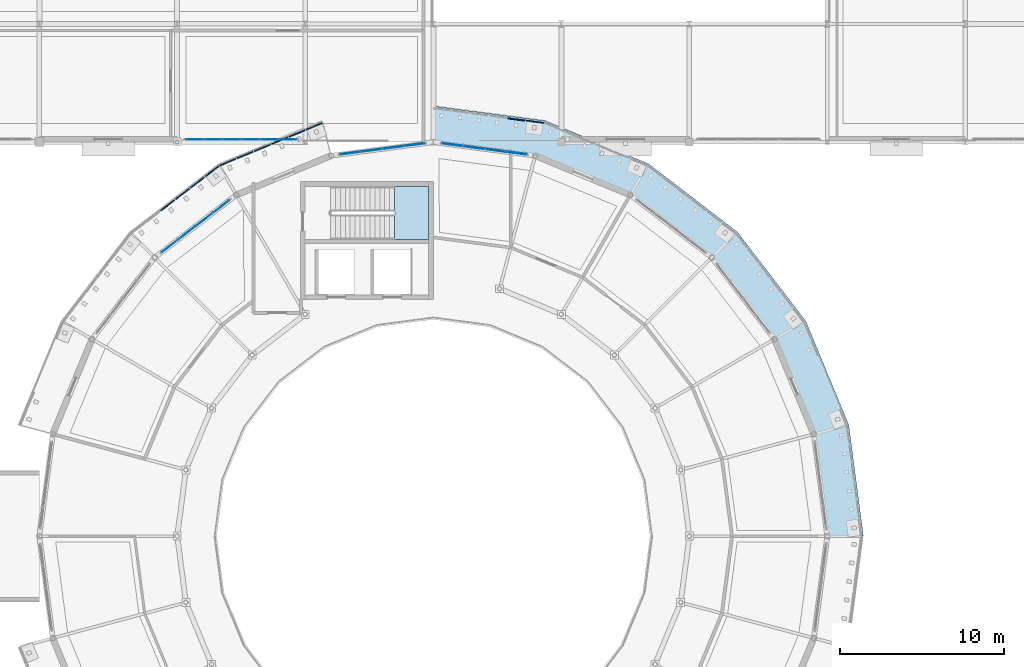
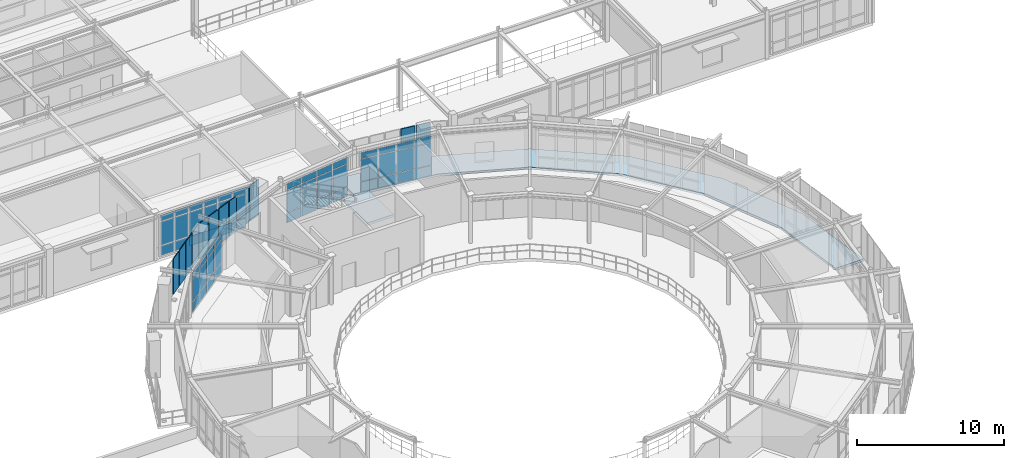
# One storey, part 47 of 70: 66 plates, 2 slabs, 5 elements without a shape of their own.
"""IFC4 building model written with IfcOpenShell, lengths in metres."""

from ifc_helpers import new_model, si_unit, derived_unit, direction, frame, origin, origin_2d, place, context, subcontext, project, spatial, polyline, rectangle, outline, extrude, material, layer, layer_set, type_object, element, aggregate, save


model = new_model("IFC4")

# Units and contexts
model_context = context("Model", 3, precision=1e-05, world=origin(), true_north=direction((0.0, 1.0)))
body_context = subcontext(model_context, "Body", "Model", "MODEL_VIEW")
ifc_project = project(units=[si_unit("LENGTHUNIT", "METRE"), si_unit("AREAUNIT", "SQUARE_METRE"), si_unit("VOLUMEUNIT", "CUBIC_METRE"), si_unit("PLANEANGLEUNIT", "RADIAN"), si_unit("MASSUNIT", "GRAM", prefix="KILO"), derived_unit("THERMALTRANSMITTANCEUNIT", [(si_unit("POWERUNIT", "WATT"), 1), (si_unit("AREAUNIT", "SQUARE_METRE"), -1), (si_unit("THERMODYNAMICTEMPERATUREUNIT", "KELVIN"), -1)])], contexts=[model_context])

# Site, building, storey
site_placement = place(None, origin())
site = spatial("IfcSite", under=ifc_project, at=site_placement, CompositionType="ELEMENT")
building_placement = place(site_placement, origin())
building = spatial("IfcBuilding", under=site, at=building_placement, Name="Yasenodar Specialist Clinic", CompositionType="ELEMENT")
storey_placement = place(building_placement, frame((0.0, 0.0, 13.199951171875)))
storey = spatial("IfcBuildingStorey", under=building, at=storey_placement, Name="L03", CompositionType="ELEMENT", Elevation=13.199951171875)

# Curtain wall, plates
ifc_material_1 = material(Name="Bronze Anodized Aluminium and Triple Low-E Glass", Category="aluminium")
ifc_layer_1 = layer(ifc_material_1, 0.1669921875)
ifc_layer_set_1 = layer_set([ifc_layer_1], Name="Bronze Anodized Aluminium and Triple Low-E Glass")
curtain_wall_type_1 = type_object("IfcCurtainWallType", Name="CW-SYS-01", PredefinedType="USERDEFINED", material=ifc_layer_set_1)
curtain_wall_1_placement = place(storey_placement, origin())
curtain_wall_1 = element("IfcCurtainWall", 1, at=curtain_wall_1_placement, inside=storey, type_object=curtain_wall_type_1, Name="L03 Unitised Curtain Wall 044", ObjectType="UNITISED CURTAIN WALL", PredefinedType="USERDEFINED")
ifc_material_2 = material(Name="Triple Low-E Argon Glazing", Category="glass")
ifc_layer_2 = layer(ifc_material_2, 0.028076171875)
ifc_layer_set_2 = layer_set([ifc_layer_2], Name="Triple Low-E Argon Glazing")
plate_type_1 = type_object("IfcPlateType", Name="CW-PAN-1", PredefinedType="CURTAIN_PANEL", material=ifc_layer_set_2)
plate_1_placement = place(storey_placement, frame((75.9365234375, 82.13330078125, 0.06005859375), z_axis=(0.0, 0.0, 1.0), x_axis=(0.991446787601, 0.13051156024, 0.0)))
plate_1 = element("IfcPlate", 2, at=plate_1_placement, type_object=plate_type_1, Name="CW-01 panel 1.1", PredefinedType="CURTAIN_PANEL", context=body_context, shape_type="SweptSolid", body=[
    extrude(rectangle(XDim=1.236328125, YDim=0.028076171875, at=origin_2d()), origin(), (0.0, 0.0, 1.0), 0.81005859375),
])
plate_2_placement = place(storey_placement, frame((75.9365234375, 82.13330078125, 0.93017578125), z_axis=(0.0, 0.0, 1.0), x_axis=(0.991446787601, 0.13051156024, 0.0)))
plate_2 = element("IfcPlate", 3, at=plate_2_placement, type_object=plate_type_1, Name="CW-01 panel 1.2", PredefinedType="CURTAIN_PANEL", context=body_context, shape_type="SweptSolid", body=[
    extrude(rectangle(XDim=1.236328125, YDim=0.028076171875, at=origin_2d()), origin(), (0.0, 0.0, 1.0), 1.818115234375),
])
plate_3_placement = place(storey_placement, frame((75.9365234375, 82.13330078125, 2.80810546875), z_axis=(0.0, 0.0, 1.0), x_axis=(0.991446787601, 0.13051156024, 0.0)))
plate_3 = element("IfcPlate", 4, at=plate_3_placement, type_object=plate_type_1, Name="CW-01 panel 1.3", PredefinedType="CURTAIN_PANEL", context=body_context, shape_type="SweptSolid", body=[
    extrude(rectangle(XDim=1.236328125, YDim=0.028076171875, at=origin_2d()), origin(), (0.0, 0.0, 1.0), 0.510009765625),
])
plate_4_placement = place(storey_placement, frame((77.236572265625, 82.304443359375, 0.06005859375), z_axis=(0.0, 0.0, 1.0), x_axis=(0.991446787601, 0.13051156024, 0.0)))
plate_4 = element("IfcPlate", 5, at=plate_4_placement, type_object=plate_type_1, Name="CW-01 panel 2.1", PredefinedType="CURTAIN_PANEL", context=body_context, shape_type="SweptSolid", body=[
    extrude(rectangle(XDim=1.266357421875, YDim=0.028076171875, at=origin_2d()), origin(), (0.0, 0.0, 1.0), 0.81005859375),
])
plate_5_placement = place(storey_placement, frame((77.236572265625, 82.304443359375, 0.93017578125), z_axis=(0.0, 0.0, 1.0), x_axis=(0.991446787601, 0.13051156024, 0.0)))
plate_5 = element("IfcPlate", 6, at=plate_5_placement, type_object=plate_type_1, Name="CW-01 panel 2.2", PredefinedType="CURTAIN_PANEL", context=body_context, shape_type="SweptSolid", body=[
    extrude(rectangle(XDim=1.266357421875, YDim=0.028076171875, at=origin_2d()), origin(), (0.0, 0.0, 1.0), 1.818115234375),
])
plate_6_placement = place(storey_placement, frame((77.236572265625, 82.304443359375, 2.80810546875), z_axis=(0.0, 0.0, 1.0), x_axis=(0.991446787601, 0.13051156024, 0.0)))
plate_6 = element("IfcPlate", 7, at=plate_6_placement, type_object=plate_type_1, Name="CW-01 panel 2.3", PredefinedType="CURTAIN_PANEL", context=body_context, shape_type="SweptSolid", body=[
    extrude(rectangle(XDim=1.266357421875, YDim=0.028076171875, at=origin_2d()), origin(), (0.0, 0.0, 1.0), 0.510009765625),
])
plate_7_placement = place(storey_placement, frame((78.5517578125, 82.4775390625, 0.06005859375), z_axis=(0.0, 0.0, 1.0), x_axis=(0.991446787601, 0.13051156024, 0.0)))
plate_7 = element("IfcPlate", 8, at=plate_7_placement, type_object=plate_type_1, Name="CW-01 panel 3.1", PredefinedType="CURTAIN_PANEL", context=body_context, shape_type="SweptSolid", body=[
    extrude(rectangle(XDim=1.266357421875, YDim=0.028076171875, at=origin_2d()), origin(), (0.0, 0.0, 1.0), 0.81005859375),
])
plate_8_placement = place(storey_placement, frame((78.5517578125, 82.4775390625, 0.93017578125), z_axis=(0.0, 0.0, 1.0), x_axis=(0.991446787601, 0.13051156024, 0.0)))
plate_8 = element("IfcPlate", 9, at=plate_8_placement, type_object=plate_type_1, Name="CW-01 panel 3.2", PredefinedType="CURTAIN_PANEL", context=body_context, shape_type="SweptSolid", body=[
    extrude(rectangle(XDim=1.266357421875, YDim=0.028076171875, at=origin_2d()), origin(), (0.0, 0.0, 1.0), 1.818115234375),
])
plate_9_placement = place(storey_placement, frame((78.5517578125, 82.4775390625, 2.80810546875), z_axis=(0.0, 0.0, 1.0), x_axis=(0.991446787601, 0.13051156024, 0.0)))
plate_9 = element("IfcPlate", 10, at=plate_9_placement, type_object=plate_type_1, Name="CW-01 panel 3.3", PredefinedType="CURTAIN_PANEL", context=body_context, shape_type="SweptSolid", body=[
    extrude(rectangle(XDim=1.266357421875, YDim=0.028076171875, at=origin_2d()), origin(), (0.0, 0.0, 1.0), 0.510009765625),
])
plate_10_placement = place(storey_placement, frame((79.851806640625, 82.648681640625, 0.06005859375), z_axis=(0.0, 0.0, 1.0), x_axis=(0.991446787601, 0.13051156024, 0.0)))
plate_10 = element("IfcPlate", 11, at=plate_10_placement, type_object=plate_type_1, Name="CW-01 panel 4.1", PredefinedType="CURTAIN_PANEL", context=body_context, shape_type="SweptSolid", body=[
    extrude(rectangle(XDim=1.236328125, YDim=0.028076171875, at=origin_2d()), origin(), (0.0, 0.0, 1.0), 0.81005859375),
])
plate_11_placement = place(storey_placement, frame((79.851806640625, 82.648681640625, 0.93017578125), z_axis=(0.0, 0.0, 1.0), x_axis=(0.991446787601, 0.13051156024, 0.0)))
plate_11 = element("IfcPlate", 12, at=plate_11_placement, type_object=plate_type_1, Name="CW-01 panel 4.2", PredefinedType="CURTAIN_PANEL", context=body_context, shape_type="SweptSolid", body=[
    extrude(rectangle(XDim=1.236328125, YDim=0.028076171875, at=origin_2d()), origin(), (0.0, 0.0, 1.0), 1.818115234375),
])
plate_12_placement = place(storey_placement, frame((79.851806640625, 82.648681640625, 2.80810546875), z_axis=(0.0, 0.0, 1.0), x_axis=(0.991446787601, 0.13051156024, 0.0)))
plate_12 = element("IfcPlate", 13, at=plate_12_placement, type_object=plate_type_1, Name="CW-01 panel 4.3", PredefinedType="CURTAIN_PANEL", context=body_context, shape_type="SweptSolid", body=[
    extrude(rectangle(XDim=1.236328125, YDim=0.028076171875, at=origin_2d()), origin(), (0.0, 0.0, 1.0), 0.510009765625),
])
aggregate(curtain_wall_1, [plate_1, plate_2, plate_3, plate_4, plate_5, plate_6, plate_7, plate_8, plate_9, plate_10, plate_11, plate_12])

ifc_layer_3 = layer(ifc_material_1, 0.215087890625)
ifc_layer_set_3 = layer_set([ifc_layer_3], Name="Bronze Anodized Aluminium and Triple Low-E Glass")
curtain_wall_type_2 = type_object("IfcCurtainWallType", Name="CW-SYS-05", PredefinedType="USERDEFINED", material=ifc_layer_set_3)
curtain_wall_2_placement = place(storey_placement, origin())
curtain_wall_2 = element("IfcCurtainWall", 14, at=curtain_wall_2_placement, inside=storey, type_object=curtain_wall_type_2, Name="L03 Unitised Curtain Wall 160", ObjectType="UNITISED CURTAIN WALL", PredefinedType="USERDEFINED")
plate_13_placement = place(storey_placement, frame((72.13134765625, 82.969970703125, 0.074951171875), z_axis=(0.0, 0.0, 1.0), x_axis=(-1.0, 0.0, 0.0)))
plate_13 = element("IfcPlate", 15, at=plate_13_placement, type_object=plate_type_1, Name="CW-05 panel 1.1", PredefinedType="CURTAIN_PANEL", context=body_context, shape_type="SweptSolid", body=[
    extrude(rectangle(XDim=1.027587890625, YDim=0.028076171875, at=origin_2d()), origin(), (0.0, 0.0, 1.0), 0.78759765625),
])
plate_14_placement = place(storey_placement, frame((72.13134765625, 82.969970703125, 0.9375), z_axis=(0.0, 0.0, 1.0), x_axis=(-1.0, 0.0, 0.0)))
plate_14 = element("IfcPlate", 16, at=plate_14_placement, type_object=plate_type_1, Name="CW-05 panel 1.2", PredefinedType="CURTAIN_PANEL", context=body_context, shape_type="SweptSolid", body=[
    extrude(rectangle(XDim=1.027587890625, YDim=0.028076171875, at=origin_2d()), origin(), (0.0, 0.0, 1.0), 1.923095703125),
])
plate_15_placement = place(storey_placement, frame((72.13134765625, 82.969970703125, 2.935546875), z_axis=(0.0, 0.0, 1.0), x_axis=(-1.0, 0.0, 0.0)))
plate_15 = element("IfcPlate", 17, at=plate_15_placement, type_object=plate_type_1, Name="CW-05 panel 1.3", PredefinedType="CURTAIN_PANEL", context=body_context, shape_type="SweptSolid", body=[
    extrude(rectangle(XDim=1.027587890625, YDim=0.028076171875, at=origin_2d()), origin(), (0.0, 0.0, 1.0), 0.487548828125),
])
plate_16_placement = place(storey_placement, frame((71.010009765625, 82.969970703125, 0.074951171875), z_axis=(0.0, 0.0, 1.0), x_axis=(-1.0, 0.0, 0.0)))
plate_16 = element("IfcPlate", 18, at=plate_16_placement, type_object=plate_type_1, Name="CW-05 panel 2.1", PredefinedType="CURTAIN_PANEL", context=body_context, shape_type="SweptSolid", body=[
    extrude(rectangle(XDim=1.06494140625, YDim=0.028076171875, at=origin_2d()), origin(), (0.0, 0.0, 1.0), 0.78759765625),
])
plate_17_placement = place(storey_placement, frame((71.010009765625, 82.969970703125, 0.9375), z_axis=(0.0, 0.0, 1.0), x_axis=(-1.0, 0.0, 0.0)))
plate_17 = element("IfcPlate", 19, at=plate_17_placement, type_object=plate_type_1, Name="CW-05 panel 2.2", PredefinedType="CURTAIN_PANEL", context=body_context, shape_type="SweptSolid", body=[
    extrude(rectangle(XDim=1.06494140625, YDim=0.028076171875, at=origin_2d()), origin(), (0.0, 0.0, 1.0), 1.923095703125),
])
plate_18_placement = place(storey_placement, frame((71.010009765625, 82.969970703125, 2.935546875), z_axis=(0.0, 0.0, 1.0), x_axis=(-1.0, 0.0, 0.0)))
plate_18 = element("IfcPlate", 20, at=plate_18_placement, type_object=plate_type_1, Name="CW-05 panel 2.3", PredefinedType="CURTAIN_PANEL", context=body_context, shape_type="SweptSolid", body=[
    extrude(rectangle(XDim=1.06494140625, YDim=0.028076171875, at=origin_2d()), origin(), (0.0, 0.0, 1.0), 0.487548828125),
])
plate_19_placement = place(storey_placement, frame((69.8701171875, 82.969970703125, 0.074951171875), z_axis=(0.0, 0.0, 1.0), x_axis=(-1.0, 0.0, 0.0)))
plate_19 = element("IfcPlate", 21, at=plate_19_placement, type_object=plate_type_1, Name="CW-05 panel 3.1", PredefinedType="CURTAIN_PANEL", context=body_context, shape_type="SweptSolid", body=[
    extrude(rectangle(XDim=1.06494140625, YDim=0.028076171875, at=origin_2d()), origin(), (0.0, 0.0, 1.0), 0.78759765625),
])
plate_20_placement = place(storey_placement, frame((69.8701171875, 82.969970703125, 0.9375), z_axis=(0.0, 0.0, 1.0), x_axis=(-1.0, 0.0, 0.0)))
plate_20 = element("IfcPlate", 22, at=plate_20_placement, type_object=plate_type_1, Name="CW-05 panel 3.2", PredefinedType="CURTAIN_PANEL", context=body_context, shape_type="SweptSolid", body=[
    extrude(rectangle(XDim=1.06494140625, YDim=0.028076171875, at=origin_2d()), origin(), (0.0, 0.0, 1.0), 1.923095703125),
])
plate_21_placement = place(storey_placement, frame((69.8701171875, 82.969970703125, 2.935546875), z_axis=(0.0, 0.0, 1.0), x_axis=(-1.0, 0.0, 0.0)))
plate_21 = element("IfcPlate", 23, at=plate_21_placement, type_object=plate_type_1, Name="CW-05 panel 3.3", PredefinedType="CURTAIN_PANEL", context=body_context, shape_type="SweptSolid", body=[
    extrude(rectangle(XDim=1.06494140625, YDim=0.028076171875, at=origin_2d()), origin(), (0.0, 0.0, 1.0), 0.487548828125),
])
plate_22_placement = place(storey_placement, frame((68.72998046875, 82.969970703125, 0.074951171875), z_axis=(0.0, 0.0, 1.0), x_axis=(-1.0, 0.0, 0.0)))
plate_22 = element("IfcPlate", 24, at=plate_22_placement, type_object=plate_type_1, Name="CW-05 panel 4.1", PredefinedType="CURTAIN_PANEL", context=body_context, shape_type="SweptSolid", body=[
    extrude(rectangle(XDim=1.06494140625, YDim=0.028076171875, at=origin_2d()), origin(), (0.0, 0.0, 1.0), 0.78759765625),
])
plate_23_placement = place(storey_placement, frame((68.72998046875, 82.969970703125, 0.9375), z_axis=(0.0, 0.0, 1.0), x_axis=(-1.0, 0.0, 0.0)))
plate_23 = element("IfcPlate", 25, at=plate_23_placement, type_object=plate_type_1, Name="CW-05 panel 4.2", PredefinedType="CURTAIN_PANEL", context=body_context, shape_type="SweptSolid", body=[
    extrude(rectangle(XDim=1.06494140625, YDim=0.028076171875, at=origin_2d()), origin(), (0.0, 0.0, 1.0), 1.923095703125),
])
plate_24_placement = place(storey_placement, frame((68.72998046875, 82.969970703125, 2.935546875), z_axis=(0.0, 0.0, 1.0), x_axis=(-1.0, 0.0, 0.0)))
plate_24 = element("IfcPlate", 26, at=plate_24_placement, type_object=plate_type_1, Name="CW-05 panel 4.3", PredefinedType="CURTAIN_PANEL", context=body_context, shape_type="SweptSolid", body=[
    extrude(rectangle(XDim=1.06494140625, YDim=0.028076171875, at=origin_2d()), origin(), (0.0, 0.0, 1.0), 0.487548828125),
])
plate_25_placement = place(storey_placement, frame((67.590087890625, 82.969970703125, 0.074951171875), z_axis=(0.0, 0.0, 1.0), x_axis=(-1.0, 0.0, 0.0)))
plate_25 = element("IfcPlate", 27, at=plate_25_placement, type_object=plate_type_1, Name="CW-05 panel 5.1", PredefinedType="CURTAIN_PANEL", context=body_context, shape_type="SweptSolid", body=[
    extrude(rectangle(XDim=1.06494140625, YDim=0.028076171875, at=origin_2d()), origin(), (0.0, 0.0, 1.0), 0.78759765625),
])
plate_26_placement = place(storey_placement, frame((67.590087890625, 82.969970703125, 0.9375), z_axis=(0.0, 0.0, 1.0), x_axis=(-1.0, 0.0, 0.0)))
plate_26 = element("IfcPlate", 28, at=plate_26_placement, type_object=plate_type_1, Name="CW-05 panel 5.2", PredefinedType="CURTAIN_PANEL", context=body_context, shape_type="SweptSolid", body=[
    extrude(rectangle(XDim=1.06494140625, YDim=0.028076171875, at=origin_2d()), origin(), (0.0, 0.0, 1.0), 1.923095703125),
])
plate_27_placement = place(storey_placement, frame((67.590087890625, 82.969970703125, 2.935546875), z_axis=(0.0, 0.0, 1.0), x_axis=(-1.0, 0.0, 0.0)))
plate_27 = element("IfcPlate", 29, at=plate_27_placement, type_object=plate_type_1, Name="CW-05 panel 5.3", PredefinedType="CURTAIN_PANEL", context=body_context, shape_type="SweptSolid", body=[
    extrude(rectangle(XDim=1.06494140625, YDim=0.028076171875, at=origin_2d()), origin(), (0.0, 0.0, 1.0), 0.487548828125),
])
plate_28_placement = place(storey_placement, frame((66.46875, 82.969970703125, 0.074951171875), z_axis=(0.0, 0.0, 1.0), x_axis=(-1.0, 0.0, 0.0)))
plate_28 = element("IfcPlate", 30, at=plate_28_placement, type_object=plate_type_1, Name="CW-05 panel 6.1", PredefinedType="CURTAIN_PANEL", context=body_context, shape_type="SweptSolid", body=[
    extrude(rectangle(XDim=1.027587890625, YDim=0.028076171875, at=origin_2d()), origin(), (0.0, 0.0, 1.0), 0.78759765625),
])
plate_29_placement = place(storey_placement, frame((66.46875, 82.969970703125, 0.9375), z_axis=(0.0, 0.0, 1.0), x_axis=(-1.0, 0.0, 0.0)))
plate_29 = element("IfcPlate", 31, at=plate_29_placement, type_object=plate_type_1, Name="CW-05 panel 6.2", PredefinedType="CURTAIN_PANEL", context=body_context, shape_type="SweptSolid", body=[
    extrude(rectangle(XDim=1.027587890625, YDim=0.028076171875, at=origin_2d()), origin(), (0.0, 0.0, 1.0), 1.923095703125),
])
plate_30_placement = place(storey_placement, frame((66.46875, 82.969970703125, 2.935546875), z_axis=(0.0, 0.0, 1.0), x_axis=(-1.0, 0.0, 0.0)))
plate_30 = element("IfcPlate", 32, at=plate_30_placement, type_object=plate_type_1, Name="CW-05 panel 6.3", PredefinedType="CURTAIN_PANEL", context=body_context, shape_type="SweptSolid", body=[
    extrude(rectangle(XDim=1.027587890625, YDim=0.028076171875, at=origin_2d()), origin(), (0.0, 0.0, 1.0), 0.487548828125),
])
aggregate(curtain_wall_2, [plate_13, plate_14, plate_15, plate_16, plate_17, plate_18, plate_19, plate_20, plate_21, plate_22, plate_23, plate_24, plate_25, plate_26, plate_27, plate_28, plate_29, plate_30])

curtain_wall_3_placement = place(storey_placement, origin())
curtain_wall_3 = element("IfcCurtainWall", 33, at=curtain_wall_3_placement, inside=storey, type_object=curtain_wall_type_1, Name="L03 Unitised Curtain Wall 045", ObjectType="UNITISED CURTAIN WALL", PredefinedType="USERDEFINED")
ifc_layer_4 = layer(ifc_material_2, 0.033935546875)
ifc_layer_set_4 = layer_set([ifc_layer_4], Name="Triple Low-E Argon Glazing")
plate_type_2 = type_object("IfcPlateType", Name="CW-PAN-2", PredefinedType="CURTAIN_PANEL", material=ifc_layer_set_4)
plate_31_placement = place(storey_placement, frame((64.951171875, 76.47802734375, 0.074951171875), z_axis=(0.0, 0.0, 1.0), x_axis=(0.793360558574, 0.608752021844, 0.0)))
plate_31 = element("IfcPlate", 34, at=plate_31_placement, type_object=plate_type_2, Name="CW-01 panel 1.1", PredefinedType="CURTAIN_PANEL", context=body_context, shape_type="SweptSolid", body=[
    extrude(rectangle(XDim=1.2138671875, YDim=0.033935546875, at=origin_2d()), origin(), (0.0, 0.0, 1.0), 0.78759765625),
])
plate_32_placement = place(storey_placement, frame((64.951171875, 76.47802734375, 0.9375), z_axis=(0.0, 0.0, 1.0), x_axis=(0.793360558574, 0.608752021844, 0.0)))
plate_32 = element("IfcPlate", 35, at=plate_32_placement, type_object=plate_type_2, Name="CW-01 panel 1.2", PredefinedType="CURTAIN_PANEL", context=body_context, shape_type="SweptSolid", body=[
    extrude(rectangle(XDim=1.2138671875, YDim=0.033935546875, at=origin_2d()), origin(), (0.0, 0.0, 1.0), 1.81298828125),
])
plate_33_placement = place(storey_placement, frame((64.951171875, 76.47802734375, 2.82568359375), z_axis=(0.0, 0.0, 1.0), x_axis=(0.793360558574, 0.608752021844, 0.0)))
plate_33 = element("IfcPlate", 36, at=plate_33_placement, type_object=plate_type_2, Name="CW-01 panel 1.3", PredefinedType="CURTAIN_PANEL", context=body_context, shape_type="SweptSolid", body=[
    extrude(rectangle(XDim=1.2138671875, YDim=0.033935546875, at=origin_2d()), origin(), (0.0, 0.0, 1.0), 0.487548828125),
])
plate_34_placement = place(storey_placement, frame((65.988525390625, 77.27392578125, 0.074951171875), z_axis=(0.0, 0.0, 1.0), x_axis=(0.793360558574, 0.608752021844, 0.0)))
plate_34 = element("IfcPlate", 37, at=plate_34_placement, type_object=plate_type_2, Name="CW-01 panel 2.1", PredefinedType="CURTAIN_PANEL", context=body_context, shape_type="SweptSolid", body=[
    extrude(rectangle(XDim=1.251220703125, YDim=0.033935546875, at=origin_2d()), origin(), (0.0, 0.0, 1.0), 0.78759765625),
])
plate_35_placement = place(storey_placement, frame((65.988525390625, 77.27392578125, 0.9375), z_axis=(0.0, 0.0, 1.0), x_axis=(0.793360558574, 0.608752021844, 0.0)))
plate_35 = element("IfcPlate", 38, at=plate_35_placement, type_object=plate_type_2, Name="CW-01 panel 2.2", PredefinedType="CURTAIN_PANEL", context=body_context, shape_type="SweptSolid", body=[
    extrude(rectangle(XDim=1.251220703125, YDim=0.033935546875, at=origin_2d()), origin(), (0.0, 0.0, 1.0), 1.81298828125),
])
plate_36_placement = place(storey_placement, frame((65.988525390625, 77.27392578125, 2.82568359375), z_axis=(0.0, 0.0, 1.0), x_axis=(0.793360558574, 0.608752021844, 0.0)))
plate_36 = element("IfcPlate", 39, at=plate_36_placement, type_object=plate_type_2, Name="CW-01 panel 2.3", PredefinedType="CURTAIN_PANEL", context=body_context, shape_type="SweptSolid", body=[
    extrude(rectangle(XDim=1.251220703125, YDim=0.033935546875, at=origin_2d()), origin(), (0.0, 0.0, 1.0), 0.487548828125),
])
plate_37_placement = place(storey_placement, frame((67.040771484375, 78.081298828125, 0.074951171875), z_axis=(0.0, 0.0, 1.0), x_axis=(0.793360558574, 0.608752021844, 0.0)))
plate_37 = element("IfcPlate", 40, at=plate_37_placement, type_object=plate_type_2, Name="CW-01 panel 3.1", PredefinedType="CURTAIN_PANEL", context=body_context, shape_type="SweptSolid", body=[
    extrude(rectangle(XDim=1.251220703125, YDim=0.033935546875, at=origin_2d()), origin(), (0.0, 0.0, 1.0), 0.78759765625),
])
plate_38_placement = place(storey_placement, frame((67.040771484375, 78.081298828125, 0.9375), z_axis=(0.0, 0.0, 1.0), x_axis=(0.793360558574, 0.608752021844, 0.0)))
plate_38 = element("IfcPlate", 41, at=plate_38_placement, type_object=plate_type_2, Name="CW-01 panel 3.2", PredefinedType="CURTAIN_PANEL", context=body_context, shape_type="SweptSolid", body=[
    extrude(rectangle(XDim=1.251220703125, YDim=0.033935546875, at=origin_2d()), origin(), (0.0, 0.0, 1.0), 1.81298828125),
])
plate_39_placement = place(storey_placement, frame((67.040771484375, 78.081298828125, 2.82568359375), z_axis=(0.0, 0.0, 1.0), x_axis=(0.793360558574, 0.608752021844, 0.0)))
plate_39 = element("IfcPlate", 42, at=plate_39_placement, type_object=plate_type_2, Name="CW-01 panel 3.3", PredefinedType="CURTAIN_PANEL", context=body_context, shape_type="SweptSolid", body=[
    extrude(rectangle(XDim=1.251220703125, YDim=0.033935546875, at=origin_2d()), origin(), (0.0, 0.0, 1.0), 0.487548828125),
])
plate_40_placement = place(storey_placement, frame((68.078125, 78.877197265625, 0.074951171875), z_axis=(0.0, 0.0, 1.0), x_axis=(0.793360558574, 0.608752021844, 0.0)))
plate_40 = element("IfcPlate", 43, at=plate_40_placement, type_object=plate_type_2, Name="CW-01 panel 4.1", PredefinedType="CURTAIN_PANEL", context=body_context, shape_type="SweptSolid", body=[
    extrude(rectangle(XDim=1.2138671875, YDim=0.033935546875, at=origin_2d()), origin(), (0.0, 0.0, 1.0), 0.78759765625),
])
plate_41_placement = place(storey_placement, frame((68.078125, 78.877197265625, 0.9375), z_axis=(0.0, 0.0, 1.0), x_axis=(0.793360558574, 0.608752021844, 0.0)))
plate_41 = element("IfcPlate", 44, at=plate_41_placement, type_object=plate_type_2, Name="CW-01 panel 4.2", PredefinedType="CURTAIN_PANEL", context=body_context, shape_type="SweptSolid", body=[
    extrude(rectangle(XDim=1.2138671875, YDim=0.033935546875, at=origin_2d()), origin(), (0.0, 0.0, 1.0), 1.81298828125),
])
plate_42_placement = place(storey_placement, frame((68.078125, 78.877197265625, 2.82568359375), z_axis=(0.0, 0.0, 1.0), x_axis=(0.793360558574, 0.608752021844, 0.0)))
plate_42 = element("IfcPlate", 45, at=plate_42_placement, type_object=plate_type_2, Name="CW-01 panel 4.3", PredefinedType="CURTAIN_PANEL", context=body_context, shape_type="SweptSolid", body=[
    extrude(rectangle(XDim=1.2138671875, YDim=0.033935546875, at=origin_2d()), origin(), (0.0, 0.0, 1.0), 0.487548828125),
])
aggregate(curtain_wall_3, [plate_31, plate_32, plate_33, plate_34, plate_35, plate_36, plate_37, plate_38, plate_39, plate_40, plate_41, plate_42])

curtain_wall_4_placement = place(storey_placement, origin())
curtain_wall_4 = element("IfcCurtainWall", 46, at=curtain_wall_4_placement, inside=storey, type_object=curtain_wall_type_1, Name="L03 Unitised Curtain Wall 043", ObjectType="UNITISED CURTAIN WALL", PredefinedType="USERDEFINED")
ifc_layer_5 = layer(ifc_material_2, 0.0458984375)
ifc_layer_set_5 = layer_set([ifc_layer_5], Name="Triple Low-E Argon Glazing")
plate_type_3 = type_object("IfcPlateType", Name="CW-PAN-4", PredefinedType="CURTAIN_PANEL", material=ifc_layer_set_5)
plate_43_placement = place(storey_placement, frame((82.148193359375, 82.648681640625, 0.06005859375), z_axis=(0.0, 0.0, 1.0), x_axis=(0.991446787601, -0.13051156024, 0.0)))
plate_43 = element("IfcPlate", 47, at=plate_43_placement, type_object=plate_type_3, Name="CW-01 panel 1.1", PredefinedType="CURTAIN_PANEL", context=body_context, shape_type="SweptSolid", body=[
    extrude(rectangle(XDim=1.236328125, YDim=0.0458984375, at=origin_2d()), origin(), (0.0, 0.0, 1.0), 0.81005859375),
])
plate_44_placement = place(storey_placement, frame((82.148193359375, 82.648681640625, 0.93017578125), z_axis=(0.0, 0.0, 1.0), x_axis=(0.991446787601, -0.13051156024, 0.0)))
plate_44 = element("IfcPlate", 48, at=plate_44_placement, type_object=plate_type_3, Name="CW-01 panel 1.2", PredefinedType="CURTAIN_PANEL", context=body_context, shape_type="SweptSolid", body=[
    extrude(rectangle(XDim=1.236328125, YDim=0.0458984375, at=origin_2d()), origin(), (0.0, 0.0, 1.0), 1.818115234375),
])
plate_45_placement = place(storey_placement, frame((82.148193359375, 82.648681640625, 2.80810546875), z_axis=(0.0, 0.0, 1.0), x_axis=(0.991446787601, -0.13051156024, 0.0)))
plate_45 = element("IfcPlate", 49, at=plate_45_placement, type_object=plate_type_3, Name="CW-01 panel 1.3", PredefinedType="CURTAIN_PANEL", context=body_context, shape_type="SweptSolid", body=[
    extrude(rectangle(XDim=1.236328125, YDim=0.0458984375, at=origin_2d()), origin(), (0.0, 0.0, 1.0), 0.510009765625),
])
plate_46_placement = place(storey_placement, frame((83.4482421875, 82.4775390625, 0.06005859375), z_axis=(0.0, 0.0, 1.0), x_axis=(0.991446787601, -0.13051156024, 0.0)))
plate_46 = element("IfcPlate", 50, at=plate_46_placement, type_object=plate_type_3, Name="CW-01 panel 2.1", PredefinedType="CURTAIN_PANEL", context=body_context, shape_type="SweptSolid", body=[
    extrude(rectangle(XDim=1.266357421875, YDim=0.0458984375, at=origin_2d()), origin(), (0.0, 0.0, 1.0), 0.81005859375),
])
plate_47_placement = place(storey_placement, frame((83.4482421875, 82.4775390625, 0.93017578125), z_axis=(0.0, 0.0, 1.0), x_axis=(0.991446787601, -0.13051156024, 0.0)))
plate_47 = element("IfcPlate", 51, at=plate_47_placement, type_object=plate_type_3, Name="CW-01 panel 2.2", PredefinedType="CURTAIN_PANEL", context=body_context, shape_type="SweptSolid", body=[
    extrude(rectangle(XDim=1.266357421875, YDim=0.0458984375, at=origin_2d()), origin(), (0.0, 0.0, 1.0), 1.818115234375),
])
plate_48_placement = place(storey_placement, frame((83.4482421875, 82.4775390625, 2.80810546875), z_axis=(0.0, 0.0, 1.0), x_axis=(0.991446787601, -0.13051156024, 0.0)))
plate_48 = element("IfcPlate", 52, at=plate_48_placement, type_object=plate_type_3, Name="CW-01 panel 2.3", PredefinedType="CURTAIN_PANEL", context=body_context, shape_type="SweptSolid", body=[
    extrude(rectangle(XDim=1.266357421875, YDim=0.0458984375, at=origin_2d()), origin(), (0.0, 0.0, 1.0), 0.510009765625),
])
plate_49_placement = place(storey_placement, frame((84.763427734375, 82.304443359375, 0.06005859375), z_axis=(0.0, 0.0, 1.0), x_axis=(0.991446787601, -0.13051156024, 0.0)))
plate_49 = element("IfcPlate", 53, at=plate_49_placement, type_object=plate_type_3, Name="CW-01 panel 3.1", PredefinedType="CURTAIN_PANEL", context=body_context, shape_type="SweptSolid", body=[
    extrude(rectangle(XDim=1.266357421875, YDim=0.0458984375, at=origin_2d()), origin(), (0.0, 0.0, 1.0), 0.81005859375),
])
plate_50_placement = place(storey_placement, frame((84.763427734375, 82.304443359375, 0.93017578125), z_axis=(0.0, 0.0, 1.0), x_axis=(0.991446787601, -0.13051156024, 0.0)))
plate_50 = element("IfcPlate", 54, at=plate_50_placement, type_object=plate_type_3, Name="CW-01 panel 3.2", PredefinedType="CURTAIN_PANEL", context=body_context, shape_type="SweptSolid", body=[
    extrude(rectangle(XDim=1.266357421875, YDim=0.0458984375, at=origin_2d()), origin(), (0.0, 0.0, 1.0), 1.818115234375),
])
plate_51_placement = place(storey_placement, frame((84.763427734375, 82.304443359375, 2.80810546875), z_axis=(0.0, 0.0, 1.0), x_axis=(0.991446787601, -0.13051156024, 0.0)))
plate_51 = element("IfcPlate", 55, at=plate_51_placement, type_object=plate_type_3, Name="CW-01 panel 3.3", PredefinedType="CURTAIN_PANEL", context=body_context, shape_type="SweptSolid", body=[
    extrude(rectangle(XDim=1.266357421875, YDim=0.0458984375, at=origin_2d()), origin(), (0.0, 0.0, 1.0), 0.510009765625),
])
plate_52_placement = place(storey_placement, frame((86.0634765625, 82.13330078125, 0.06005859375), z_axis=(0.0, 0.0, 1.0), x_axis=(0.991446787601, -0.13051156024, 0.0)))
plate_52 = element("IfcPlate", 56, at=plate_52_placement, type_object=plate_type_3, Name="CW-01 panel 4.1", PredefinedType="CURTAIN_PANEL", context=body_context, shape_type="SweptSolid", body=[
    extrude(rectangle(XDim=1.236328125, YDim=0.0458984375, at=origin_2d()), origin(), (0.0, 0.0, 1.0), 0.81005859375),
])
plate_53_placement = place(storey_placement, frame((86.0634765625, 82.13330078125, 0.93017578125), z_axis=(0.0, 0.0, 1.0), x_axis=(0.991446787601, -0.13051156024, 0.0)))
plate_53 = element("IfcPlate", 57, at=plate_53_placement, type_object=plate_type_3, Name="CW-01 panel 4.2", PredefinedType="CURTAIN_PANEL", context=body_context, shape_type="SweptSolid", body=[
    extrude(rectangle(XDim=1.236328125, YDim=0.0458984375, at=origin_2d()), origin(), (0.0, 0.0, 1.0), 1.818115234375),
])
plate_54_placement = place(storey_placement, frame((86.0634765625, 82.13330078125, 2.80810546875), z_axis=(0.0, 0.0, 1.0), x_axis=(0.991446787601, -0.13051156024, 0.0)))
plate_54 = element("IfcPlate", 58, at=plate_54_placement, type_object=plate_type_3, Name="CW-01 panel 4.3", PredefinedType="CURTAIN_PANEL", context=body_context, shape_type="SweptSolid", body=[
    extrude(rectangle(XDim=1.236328125, YDim=0.0458984375, at=origin_2d()), origin(), (0.0, 0.0, 1.0), 0.510009765625),
])
aggregate(curtain_wall_4, [plate_43, plate_44, plate_45, plate_46, plate_47, plate_48, plate_49, plate_50, plate_51, plate_52, plate_53, plate_54])

# Plates
ifc_material_3 = material(Name="Thermally Modified Larch and Bronze Girih Jali Screen")
ifc_layer_6 = layer(ifc_material_3, 0.06494140625)
ifc_layer_set_6 = layer_set([ifc_layer_6], Name="Thermally Modified Larch and Bronze Girih Jali Screen")
plate_type_4 = type_object("IfcPlateType", Name="PL-JALI-850", PredefinedType="USERDEFINED", material=ifc_layer_set_6)
for number, where, z_axis, x_axis, name in (
    (59, (87.19775390625, 84.04296875, 0.0048828125), (0.0, 0.0, 1.0), (-0.991445783754, 0.130519185854, 0.0), "L03 Sliding Timber-Bronze Jali Shutter Screen 0244"),
    (60, (86.067626953125, 84.191650390625, 0.0048828125), (0.0, 0.0, 1.0), (-0.991445783754, 0.130519185854, 0.0), "L03 Sliding Timber-Bronze Jali Shutter Screen 0245"),
    (61, (73.745849609375, 83.759765625, 0.0048828125), (0.0, 0.0, 1.0), (-0.923878192594, -0.382686667195, 0.0), "L03 Sliding Timber-Bronze Jali Shutter Screen 0250"),
    (62, (72.69287109375, 83.323486328125, 0.0048828125), (0.0, 0.0, 1.0), (-0.923878192594, -0.382686667195, 0.0), "L03 Sliding Timber-Bronze Jali Shutter Screen 0251"),
    (63, (71.6396484375, 82.887451171875, 0.0048828125), (0.0, 0.0, 1.0), (-0.923878192594, -0.382686667195, 0.0), "L03 Sliding Timber-Bronze Jali Shutter Screen 0252"),
    (64, (70.58642578125, 82.451171875, 0.0048828125), (0.0, 0.0, 1.0), (-0.923878192594, -0.382686667195, 0.0), "L03 Sliding Timber-Bronze Jali Shutter Screen 0253"),
    (65, (69.533203125, 82.014892578125, 0.0048828125), (0.0, 0.0, 1.0), (-0.923878192594, -0.382686667195, 0.0), "L03 Sliding Timber-Bronze Jali Shutter Screen 0254"),
    (66, (68.480224609375, 81.57861328125, 0.0048828125), (0.0, 0.0, 1.0), (-0.923878192594, -0.382686667195, 0.0), "L03 Sliding Timber-Bronze Jali Shutter Screen 0255"),
    (67, (67.532958984375, 81.031982421875, 0.0048828125), (0.0, 0.0, 1.0), (-0.793351200869, -0.608764217148, 0.0), "L03 Sliding Timber-Bronze Jali Shutter Screen 0256"),
    (68, (66.628662109375, 80.337890625, 0.0048828125), (0.0, 0.0, 1.0), (-0.793351200869, -0.608764217148, 0.0), "L03 Sliding Timber-Bronze Jali Shutter Screen 0257"),
    (69, (65.724365234375, 79.64404296875, 0.0048828125), (0.0, 0.0, 1.0), (-0.793351200869, -0.608764217148, 0.0), "L03 Sliding Timber-Bronze Jali Shutter Screen 0258"),
    (70, (64.81982421875, 78.949951171875, 0.0048828125), (0.0, 0.0, 1.0), (-0.793351200869, -0.608764217148, 0.0), "L03 Sliding Timber-Bronze Jali Shutter Screen 0259"),
):
    element("IfcPlate", number, at=place(storey_placement, frame(where, z_axis=z_axis, x_axis=x_axis)), inside=storey, type_object=plate_type_4, Name=name, ObjectType="SCREEN_PANEL", PredefinedType="USERDEFINED", context=body_context, shape_type="SweptSolid", body=[
        extrude(rectangle(XDim=1.0400390625, YDim=0.06494140625, at=origin_2d()), origin(), (0.0, 0.0, 1.0), 2.949951171875),
    ])

# Slab
ifc_material_4 = material(Name="Concrete C30/37", Category="concrete")
ifc_layer_7 = layer(ifc_material_4, 0.195068359375)
ifc_layer_set_7 = layer_set([ifc_layer_7], Name="Concrete C30/37")
slab_type_1 = type_object("IfcSlabType", Name="SLB-BALC-195", PredefinedType="FLOOR", material=ifc_layer_set_7)
slab_1_placement = place(storey_placement, frame((0.0, 0.0, -0.195068359375)))
element("IfcSlab", 71, at=slab_1_placement, inside=storey, type_object=slab_type_1, Name="L03 Drum V1 Balcony Sector 1", PredefinedType="FLOOR", context=body_context, shape_type="SweptSolid", body=[
    extrude(outline(polyline([(81.0, 85.0), (87.781005859375, 84.107421875), (94.10009765625, 81.489990234375), (99.526123046875, 77.326171875), (103.68994140625, 71.89990234375), (106.307373046875, 65.5810546875), (107.199951171875, 58.800048828125), (105.01513671875, 58.800048828125), (104.19677734375, 65.015625), (101.797607421875, 70.8076171875), (97.981201171875, 75.78125), (93.007568359375, 79.59765625), (87.215576171875, 81.996826171875), (81.0, 82.815185546875), (81.0, 85.0)])), origin(), (0.0, 0.0, 1.0), 0.195068359375),
])

# Stair, slab
stair_type = type_object("IfcStairType", Name="ST-DOG-C2-28", PredefinedType="HALF_TURN_STAIR", material=ifc_material_4)
stair_placement = place(storey_placement, origin())
stair = element("IfcStair", 72, at=stair_placement, inside=storey, type_object=stair_type, Name="L03 Core C3 Exit Stair ST-03", PredefinedType="HALF_TURN_STAIR")
ifc_layer_8 = layer(ifc_material_4, 0.199951171875)
ifc_layer_set_8 = layer_set([ifc_layer_8], Name="Concrete C30/37")
slab_type_2 = type_object("IfcSlabType", Name="SLB-LND-200", PredefinedType="LANDING", material=ifc_layer_set_8)
slab_2_placement = place(storey_placement, frame((0.0, 0.0, 1.824951171875)))
slab_2 = element("IfcSlab", 73, at=slab_2_placement, type_object=slab_type_2, Name="ST-03 landing 1", PredefinedType="LANDING", context=body_context, shape_type="SweptSolid", body=[
    extrude(outline(polyline([(78.639892578125, 76.860107421875), (80.719970703125, 76.860107421875), (80.719970703125, 80.110107421875), (78.639892578125, 80.110107421875), (78.639892578125, 76.860107421875)])), origin(), (0.0, 0.0, 1.0), 0.2001953125),
])
aggregate(stair, [slab_2])

save(model, "model.ifc")
